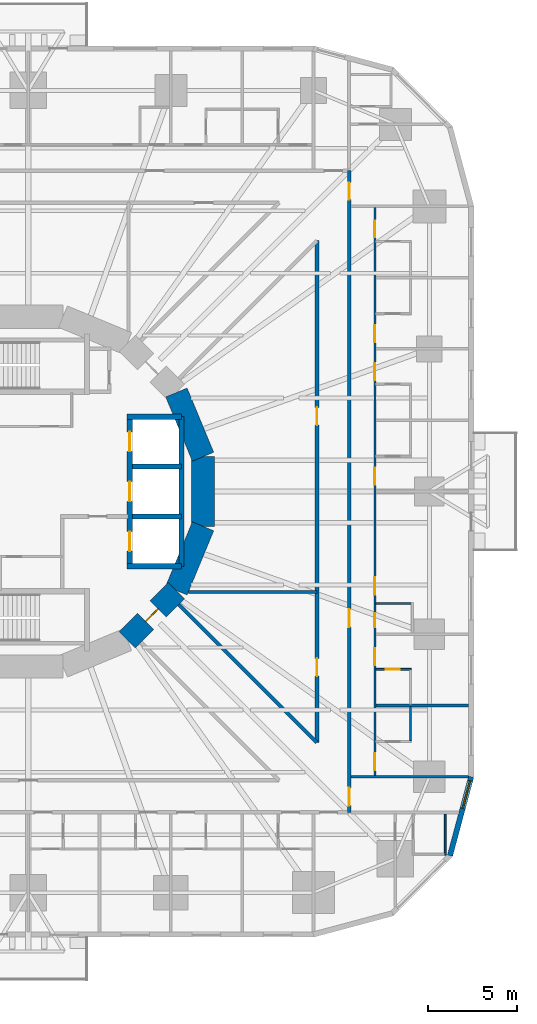
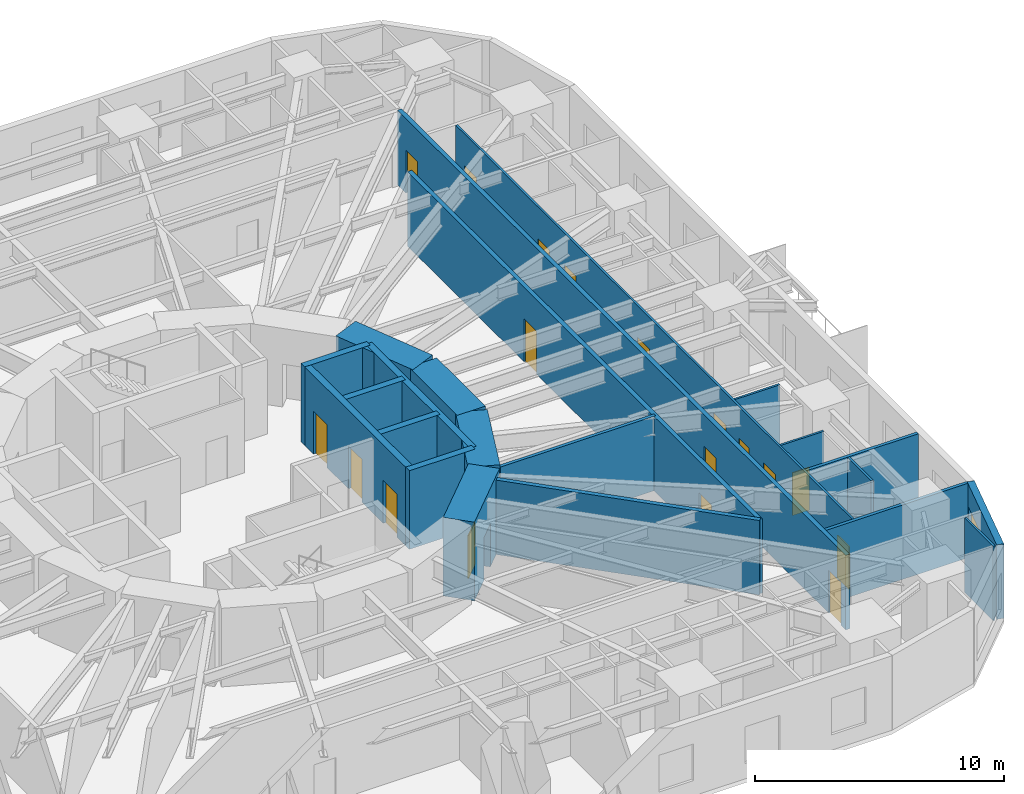
# One storey, part 8 of 14: 22 walls, 18 doors, 1 window, 19 openings.
"""IFC4 building model written with IfcOpenShell, lengths in metres."""

import ifcopenshell
import ifcopenshell.guid

model = None  # the IFC model being written
_history = None  # IfcOwnerHistory: only IFC2X3 demands one
_inside = {}  # id of a spatial element -> (the spatial element, [elements in it])
_under = {}  # id of a project, library or spatial element -> (it, [spatial elements below it])
_declared = {}  # id of a project -> (the project, [libraries it declares])
_typed = {}  # id of a type object -> (the type object, [elements of that type])
_made_of = {}  # id of a material, layer set ... -> (it, [elements and type objects made of it])


def new_model(schema):
    """Start an empty IFC model of exactly this schema.

    Asked for "IFC4X3", IfcOpenShell would pick the latest addendum, in which some entities
    have other attributes; the version numbers below select the first issue.
    IFC2X3 requires an IfcOwnerHistory on every rooted entity: one is made here for all.
    """
    global model, _history
    if schema == "IFC4X3":
        model = ifcopenshell.file(schema_version=(4, 3, 0, 0))
    else:
        model = ifcopenshell.file(schema=schema)
    _inside.clear()
    _under.clear()
    _declared.clear()
    _typed.clear()
    _made_of.clear()
    _history = None
    if model.schema == "IFC2X3":
        org = make("IfcOrganization", Name="unknown")
        user = make(
            "IfcPersonAndOrganization",
            ThePerson=make("IfcPerson", FamilyName="unknown"),
            TheOrganization=org,
        )
        app = make(
            "IfcApplication",
            ApplicationDeveloper=org,
            Version="unknown",
            ApplicationFullName="unknown",
            ApplicationIdentifier="unknown",
        )
        _history = make(
            "IfcOwnerHistory",
            OwningUser=user,
            OwningApplication=app,
            ChangeAction="ADDED",
            CreationDate=0,
        )
    return model


def make(cls, **values):
    """One entity of the class cls with the attributes given. An attribute that is None is left unset."""
    return model.create_entity(
        cls, **{name: value for name, value in values.items() if value is not None}
    )


def rooted(cls, **values):
    """An entity with a GlobalId (a new one), such as an element, a storey or a relation."""
    return make(cls, GlobalId=ifcopenshell.guid.new(), OwnerHistory=_history, **values)


def si_unit(unit_type, name, prefix=None):
    """IfcSIUnit, for example si_unit("LENGTHUNIT", "METRE", prefix="MILLI")."""
    return make("IfcSIUnit", UnitType=unit_type, Prefix=prefix, Name=name)


def assignment(units):
    """IfcUnitAssignment: the units of a project."""
    return None if units is None else make("IfcUnitAssignment", Units=units)


def point(xyz):
    """IfcCartesianPoint."""
    return None if xyz is None else make("IfcCartesianPoint", Coordinates=xyz)


def direction(xyz):
    """IfcDirection."""
    return None if xyz is None else make("IfcDirection", DirectionRatios=xyz)


def frame(location, z_axis=None, x_axis=None):
    """IfcAxis2Placement3D, a coordinate frame: its origin and axes. An axis left out is left unset."""
    return make(
        "IfcAxis2Placement3D",
        Location=point(location),
        Axis=direction(z_axis),
        RefDirection=direction(x_axis),
    )


def frame_2d(location, x_axis=None):
    """IfcAxis2Placement2D, a coordinate frame in the plane: its origin and x axis."""
    return make(
        "IfcAxis2Placement2D", Location=point(location), RefDirection=direction(x_axis)
    )


def origin():
    """The frame at (0, 0, 0) with its axes left unset."""
    return frame((0.0, 0.0, 0.0))


def place(relative_to, where):
    """IfcLocalPlacement: puts the frame where relative to a parent placement (None: the world)."""
    return make(
        "IfcLocalPlacement", PlacementRelTo=relative_to, RelativePlacement=where
    )


def context(
    kind, dimensions, precision=None, world=None, true_north=None, identifier=None
):
    """IfcGeometricRepresentationContext, for example the 3D "Model" context."""
    return make(
        "IfcGeometricRepresentationContext",
        ContextIdentifier=identifier,
        ContextType=kind,
        CoordinateSpaceDimension=dimensions,
        Precision=precision,
        WorldCoordinateSystem=world,
        TrueNorth=true_north,
    )


def subcontext(parent, identifier, kind, view, scale=None):
    """IfcGeometricRepresentationSubContext, for example "Body" below "Model"."""
    return make(
        "IfcGeometricRepresentationSubContext",
        ContextIdentifier=identifier,
        ContextType=kind,
        ParentContext=parent,
        TargetScale=scale,
        TargetView=view,
    )


def project(units=None, contexts=None):
    """IfcProject with its units and contexts."""
    return rooted(
        "IfcProject",
        Name="project",
        RepresentationContexts=contexts,
        UnitsInContext=assignment(units),
    )


def spatial(cls, under=None, at=None, **own):
    """A site, building, storey or space (cls), placed at a placement, below another one or the project."""
    s = rooted(cls, ObjectPlacement=at, **own)
    if under is not None:
        _under.setdefault(under.id(), (under, []))[1].append(s)
    return s


def profile(cls, at=None, kind="AREA", **sizes):
    """A parametric profile (cls). Its sizes go by their IFC names, for example OverallWidth=200.0."""
    return make(cls, ProfileType=kind, Position=at, **sizes)


def rectangle(**sizes):
    """IfcRectangleProfileDef."""
    return profile("IfcRectangleProfileDef", **sizes)


def extrude(swept, where, along, depth):
    """IfcExtrudedAreaSolid: the profile swept, set in the frame where, extruded along a direction by depth."""
    return make(
        "IfcExtrudedAreaSolid",
        SweptArea=swept,
        Position=where,
        ExtrudedDirection=direction(along),
        Depth=depth,
    )


def shape(context_of_items, identifier, shape_type, items):
    """IfcShapeRepresentation: the items that make up one representation, for example the "Body"."""
    return make(
        "IfcShapeRepresentation",
        ContextOfItems=context_of_items,
        RepresentationIdentifier=identifier,
        RepresentationType=shape_type,
        Items=items,
    )


def material(Name=None, Category=None):
    """IfcMaterial."""
    return make("IfcMaterial", Name=Name, Category=Category)


def layer(
    of_material, thickness, ventilated=None, Name=None, Category=None, Priority=None
):
    """IfcMaterialLayer: one layer of a wall or slab, of a material (None: an air gap)."""
    return make(
        "IfcMaterialLayer",
        Material=of_material,
        LayerThickness=thickness,
        IsVentilated=ventilated,
        Name=Name,
        Category=Category,
        Priority=Priority,
    )


def layer_set(layers, Name=None):
    """IfcMaterialLayerSet."""
    return make("IfcMaterialLayerSet", MaterialLayers=layers, LayerSetName=Name)


def made_of(thing, what):
    """Note that an element or type object is made of a material, layer set ...; save() writes the relation."""
    if what is not None:
        _made_of.setdefault(what.id(), (what, []))[1].append(thing)
    return thing


def type_object(cls, material=None, **own):
    """A type object (cls), such as IfcWallType, which elements share."""
    return made_of(rooted(cls, **own), material)


def element(
    cls,
    number,
    at=None,
    inside=None,
    cuts=None,
    type_object=None,
    material=None,
    context=None,
    identifier="Body",
    shape_type=None,
    held_by="IfcProductDefinitionShape",
    body=None,
    shapes=None,
    **own,
):
    """One element of the class cls, such as IfcWall. Its Tag is "e" and its number.

    at: its placement. inside: the storey or other place that contains it. cuts: it is an
    opening in that element (IfcRelVoidsElement). A single representation is given by context,
    identifier, shape_type and body (its items); several are given by shapes. held_by: the class
    of the entity that holds the representations. save() writes the other relations.
    """
    e = rooted(cls, Tag="e%d" % number, ObjectPlacement=at, **own)
    if body is not None:
        shapes = [shape(context, identifier, shape_type, body)]
    if shapes is not None:
        e.Representation = make(held_by, Representations=shapes)
    if inside is not None:
        _inside.setdefault(inside.id(), (inside, []))[1].append(e)
    if cuts is not None:
        rooted(
            "IfcRelVoidsElement", RelatingBuildingElement=cuts, RelatedOpeningElement=e
        )
    if type_object is not None:
        _typed.setdefault(type_object.id(), (type_object, []))[1].append(e)
    return made_of(e, material)


def fill(opening, filler):
    """IfcRelFillsElement: the door or window that sits in an opening."""
    return rooted(
        "IfcRelFillsElement",
        RelatingOpeningElement=opening,
        RelatedBuildingElement=filler,
    )


def aggregate(whole, parts):
    """IfcRelAggregates: a whole, such as a stair, and the parts it consists of."""
    return rooted("IfcRelAggregates", RelatingObject=whole, RelatedObjects=parts)


def save(model, path):
    """Write the relations noted so far, then the file.

    IfcRelAggregates (storeys below a building ...), IfcRelContainedInSpatialStructure (elements
    in a storey), IfcRelDefinesByType, IfcRelAssociatesMaterial and IfcRelDeclares: one each for
    every whole, place, type object, material and project.
    """
    for whole, parts in _under.values():
        aggregate(whole, parts)
    for where, things in _inside.values():
        rooted(
            "IfcRelContainedInSpatialStructure",
            RelatedElements=things,
            RelatingStructure=where,
        )
    for kind, things in _typed.values():
        rooted("IfcRelDefinesByType", RelatedObjects=things, RelatingType=kind)
    for what, things in _made_of.values():
        rooted("IfcRelAssociatesMaterial", RelatedObjects=things, RelatingMaterial=what)
    for by, libraries in _declared.values():
        rooted("IfcRelDeclares", RelatingContext=by, RelatedDefinitions=libraries)
    model.write(path)


model = new_model("IFC4")

# Units and contexts
model_context = context("Model", 3, precision=1e-05, world=origin(), true_north=direction((0.0, 1.0)))
body_context = subcontext(model_context, "Body", "Model", "MODEL_VIEW")
ifc_project = project(units=[si_unit("LENGTHUNIT", "METRE"), si_unit("AREAUNIT", "SQUARE_METRE"), si_unit("VOLUMEUNIT", "CUBIC_METRE"), si_unit("PLANEANGLEUNIT", "RADIAN"), si_unit("MASSUNIT", "GRAM", prefix="KILO")], contexts=[model_context])

# Site, building, storey
site_placement = place(None, origin())
site = spatial("IfcSite", under=ifc_project, at=site_placement, CompositionType="ELEMENT")
building_placement = place(site_placement, origin())
building = spatial("IfcBuilding", under=site, at=building_placement, Name="Nakasero Lantern House", CompositionType="ELEMENT")
storey_placement = place(building_placement, frame((0.0, 0.0, 31.39990234375)))
storey = spatial("IfcBuildingStorey", under=building, at=storey_placement, Name="L07", CompositionType="ELEMENT", Elevation=31.39990234375)

# Wall, openings, doors
ifc_material_1 = material(Name="Blockwork", Category="masonry")
ifc_layer_1 = layer(ifc_material_1, 0.10009765625)
ifc_layer_set_1 = layer_set([ifc_layer_1], Name="Cluster hall wall 100")
wall_type_1 = type_object("IfcWallType", Name="Cluster hall wall 100", PredefinedType="PARTITIONING", material=ifc_layer_set_1)
wall_1_placement = place(storey_placement, frame((19.449951171875, -15.925048828125, 0.0), z_axis=(0.0, 0.0, 1.0), x_axis=(0.0, 1.0, 0.0)))
wall_1 = element("IfcWall", 1, at=wall_1_placement, inside=storey, type_object=wall_type_1, Name="Cluster hall wall L07 HW0-0", PredefinedType="PARTITIONING", context=body_context, shape_type="SweptSolid", body=[
    extrude(rectangle(XDim=31.85009765625, YDim=0.10009765625, at=frame_2d((15.925048828125, 0.0))), origin(), (0.0, 0.0, 1.0), 3.650146484375),
])
opening_1_placement = place(wall_1_placement, frame((10.125, 0.0, 0.0)))
opening_1 = element("IfcOpeningElement", 2, at=opening_1_placement, cuts=wall_1, Name="Opening D03", PredefinedType="OPENING", context=body_context, shape_type="SweptSolid", body=[
    extrude(rectangle(XDim=1.0, YDim=2.10009765625, at=frame_2d((0.5, 1.050048828125))), frame((0.0, 0.070068359375, 0.0), z_axis=(0.0, -1.0, 0.0), x_axis=(1.0, 0.0, 0.0)), (0.0, 0.0, 1.0), 0.14013671875),
])
opening_2_placement = place(wall_1_placement, frame((8.300048828125, 0.0, 0.0)))
opening_2 = element("IfcOpeningElement", 3, at=opening_2_placement, cuts=wall_1, Name="Opening D02", PredefinedType="OPENING", context=body_context, shape_type="SweptSolid", body=[
    extrude(rectangle(XDim=0.800048828125, YDim=2.10009765625, at=frame_2d((0.39990234375, 1.050048828125))), frame((0.0, 0.070068359375, 0.0), z_axis=(0.0, -1.0, 0.0), x_axis=(1.0, 0.0, 0.0)), (0.0, 0.0, 1.0), 0.14013671875),
])
opening_3_placement = place(wall_1_placement, frame((0.300048828125, 0.0, 0.0)))
opening_3 = element("IfcOpeningElement", 4, at=opening_3_placement, cuts=wall_1, Name="Opening D01", PredefinedType="OPENING", context=body_context, shape_type="SweptSolid", body=[
    extrude(rectangle(XDim=0.949951171875, YDim=2.10009765625, at=frame_2d((0.47509765625, 1.050048828125))), frame((0.0, 0.070068359375, 0.0), z_axis=(0.0, -1.0, 0.0), x_axis=(1.0, 0.0, 0.0)), (0.0, 0.0, 1.0), 0.14013671875),
])
opening_4_placement = place(wall_1_placement, frame((6.175048828125, 0.0, 0.0)))
opening_4 = element("IfcOpeningElement", 5, at=opening_4_placement, cuts=wall_1, Name="Opening D01", PredefinedType="OPENING", context=body_context, shape_type="SweptSolid", body=[
    extrude(rectangle(XDim=0.949951171875, YDim=2.10009765625, at=frame_2d((0.47509765625, 1.050048828125))), frame((0.0, 0.070068359375, 0.0), z_axis=(0.0, -1.0, 0.0), x_axis=(1.0, 0.0, 0.0)), (0.0, 0.0, 1.0), 0.14013671875),
])
opening_5_placement = place(wall_1_placement, frame((16.300048828125, 0.0, 0.0)))
opening_5 = element("IfcOpeningElement", 6, at=opening_5_placement, cuts=wall_1, Name="Opening D01", PredefinedType="OPENING", context=body_context, shape_type="SweptSolid", body=[
    extrude(rectangle(XDim=0.949951171875, YDim=2.10009765625, at=frame_2d((0.47509765625, 1.050048828125))), frame((0.0, 0.070068359375, 0.0), z_axis=(0.0, -1.0, 0.0), x_axis=(1.0, 0.0, 0.0)), (0.0, 0.0, 1.0), 0.14013671875),
])
opening_6_placement = place(wall_1_placement, frame((22.175048828125, 0.0, 0.0)))
opening_6 = element("IfcOpeningElement", 7, at=opening_6_placement, cuts=wall_1, Name="Opening D01", PredefinedType="OPENING", context=body_context, shape_type="SweptSolid", body=[
    extrude(rectangle(XDim=0.949951171875, YDim=2.10009765625, at=frame_2d((0.47509765625, 1.050048828125))), frame((0.0, 0.070068359375, 0.0), z_axis=(0.0, -1.0, 0.0), x_axis=(1.0, 0.0, 0.0)), (0.0, 0.0, 1.0), 0.14013671875),
])
opening_7_placement = place(wall_1_placement, frame((24.300048828125, 0.0, 0.0)))
opening_7 = element("IfcOpeningElement", 8, at=opening_7_placement, cuts=wall_1, Name="Opening D01", PredefinedType="OPENING", context=body_context, shape_type="SweptSolid", body=[
    extrude(rectangle(XDim=0.949951171875, YDim=2.10009765625, at=frame_2d((0.47509765625, 1.050048828125))), frame((0.0, 0.070068359375, 0.0), z_axis=(0.0, -1.0, 0.0), x_axis=(1.0, 0.0, 0.0)), (0.0, 0.0, 1.0), 0.14013671875),
])
opening_8_placement = place(wall_1_placement, frame((30.175048828125, 0.0, 0.0)))
opening_8 = element("IfcOpeningElement", 9, at=opening_8_placement, cuts=wall_1, Name="Opening D01", PredefinedType="OPENING", context=body_context, shape_type="SweptSolid", body=[
    extrude(rectangle(XDim=0.949951171875, YDim=2.10009765625, at=frame_2d((0.47509765625, 1.050048828125))), frame((0.0, 0.070068359375, 0.0), z_axis=(0.0, -1.0, 0.0), x_axis=(1.0, 0.0, 0.0)), (0.0, 0.0, 1.0), 0.14013671875),
])
ifc_material_2 = material(Name="Timber C24", Category="wood")
door_type_1 = type_object("IfcDoorType", Name="Bedroom door FD30S 950", OperationType="SINGLE_SWING_LEFT", PredefinedType="DOOR", material=ifc_material_2)
door_1_placement = place(opening_3_placement, origin())
door_1 = element("IfcDoor", 10, at=door_1_placement, inside=storey, type_object=door_type_1, Name="Door L07 D0-01", OperationType="SINGLE_SWING_LEFT", OverallHeight=2.10009765625, OverallWidth=0.949951171875, PredefinedType="DOOR", context=body_context, shape_type="SweptSolid", body=[
    extrude(rectangle(XDim=0.949951171875, YDim=2.10009765625, at=frame_2d((0.47509765625, 1.050048828125))), frame((0.0, 0.02490234375, 0.0), z_axis=(0.0, -1.0, 0.0), x_axis=(1.0, 0.0, 0.0)), (0.0, 0.0, 1.0), 0.050048828125),
])
fill(opening_3, door_1)
door_2_placement = place(opening_4_placement, origin())
door_2 = element("IfcDoor", 11, at=door_2_placement, inside=storey, type_object=door_type_1, Name="Door L07 D0-02", OperationType="SINGLE_SWING_LEFT", OverallHeight=2.10009765625, OverallWidth=0.949951171875, PredefinedType="DOOR", context=body_context, shape_type="SweptSolid", body=[
    extrude(rectangle(XDim=0.949951171875, YDim=2.10009765625, at=frame_2d((0.47509765625, 1.050048828125))), frame((0.0, 0.02490234375, 0.0), z_axis=(0.0, -1.0, 0.0), x_axis=(1.0, 0.0, 0.0)), (0.0, 0.0, 1.0), 0.050048828125),
])
fill(opening_4, door_2)
door_3_placement = place(opening_5_placement, origin())
door_3 = element("IfcDoor", 12, at=door_3_placement, inside=storey, type_object=door_type_1, Name="Door L07 D0-05", OperationType="SINGLE_SWING_RIGHT", OverallHeight=2.10009765625, OverallWidth=0.949951171875, PredefinedType="DOOR", context=body_context, shape_type="SweptSolid", body=[
    extrude(rectangle(XDim=0.949951171875, YDim=2.10009765625, at=frame_2d((0.47509765625, 1.050048828125))), frame((0.0, 0.02490234375, 0.0), z_axis=(0.0, -1.0, 0.0), x_axis=(1.0, 0.0, 0.0)), (0.0, 0.0, 1.0), 0.050048828125),
])
fill(opening_5, door_3)
door_4_placement = place(opening_6_placement, origin())
door_4 = element("IfcDoor", 13, at=door_4_placement, inside=storey, type_object=door_type_1, Name="Door L07 D0-06", OperationType="SINGLE_SWING_RIGHT", OverallHeight=2.10009765625, OverallWidth=0.949951171875, PredefinedType="DOOR", context=body_context, shape_type="SweptSolid", body=[
    extrude(rectangle(XDim=0.949951171875, YDim=2.10009765625, at=frame_2d((0.47509765625, 1.050048828125))), frame((0.0, 0.02490234375, 0.0), z_axis=(0.0, -1.0, 0.0), x_axis=(1.0, 0.0, 0.0)), (0.0, 0.0, 1.0), 0.050048828125),
])
fill(opening_6, door_4)
door_5_placement = place(opening_7_placement, origin())
door_5 = element("IfcDoor", 14, at=door_5_placement, inside=storey, type_object=door_type_1, Name="Door L07 D0-07", OperationType="SINGLE_SWING_RIGHT", OverallHeight=2.10009765625, OverallWidth=0.949951171875, PredefinedType="DOOR", context=body_context, shape_type="SweptSolid", body=[
    extrude(rectangle(XDim=0.949951171875, YDim=2.10009765625, at=frame_2d((0.47509765625, 1.050048828125))), frame((0.0, 0.02490234375, 0.0), z_axis=(0.0, -1.0, 0.0), x_axis=(1.0, 0.0, 0.0)), (0.0, 0.0, 1.0), 0.050048828125),
])
fill(opening_7, door_5)
door_6_placement = place(opening_8_placement, origin())
door_6 = element("IfcDoor", 15, at=door_6_placement, inside=storey, type_object=door_type_1, Name="Door L07 D0-08", OperationType="SINGLE_SWING_RIGHT", OverallHeight=2.10009765625, OverallWidth=0.949951171875, PredefinedType="DOOR", context=body_context, shape_type="SweptSolid", body=[
    extrude(rectangle(XDim=0.949951171875, YDim=2.10009765625, at=frame_2d((0.47509765625, 1.050048828125))), frame((0.0, 0.02490234375, 0.0), z_axis=(0.0, -1.0, 0.0), x_axis=(1.0, 0.0, 0.0)), (0.0, 0.0, 1.0), 0.050048828125),
])
fill(opening_8, door_6)
ifc_material_3 = material(Name="Timber C24", Category="wood")
door_type_2 = type_object("IfcDoorType", Name="En-suite door 800", OperationType="SINGLE_SWING_RIGHT", PredefinedType="DOOR", material=ifc_material_3)
door_7_placement = place(opening_2_placement, origin())
door_7 = element("IfcDoor", 16, at=door_7_placement, inside=storey, type_object=door_type_2, Name="Door L07 DSH0-0", OperationType="SINGLE_SWING_LEFT", OverallHeight=2.10009765625, OverallWidth=0.800048828125, PredefinedType="DOOR", context=body_context, shape_type="SweptSolid", body=[
    extrude(rectangle(XDim=0.800048828125, YDim=2.10009765625, at=frame_2d((0.39990234375, 1.050048828125))), frame((0.0, 0.02490234375, 0.0), z_axis=(0.0, -1.0, 0.0), x_axis=(1.0, 0.0, 0.0)), (0.0, 0.0, 1.0), 0.050048828125),
])
fill(opening_2, door_7)
ifc_material_4 = material(Name="Timber C24", Category="wood")
door_type_3 = type_object("IfcDoorType", Name="Lounge door FD30S 1000", OperationType="SINGLE_SWING_LEFT", PredefinedType="DOOR", material=ifc_material_4)
door_8_placement = place(opening_1_placement, origin())
door_8 = element("IfcDoor", 17, at=door_8_placement, inside=storey, type_object=door_type_3, Name="Door L07 DH0-0", OperationType="SINGLE_SWING_LEFT", OverallHeight=2.10009765625, OverallWidth=1.0, PredefinedType="DOOR", context=body_context, shape_type="SweptSolid", body=[
    extrude(rectangle(XDim=1.0, YDim=2.10009765625, at=frame_2d((0.5, 1.050048828125))), frame((0.0, 0.02490234375, 0.0), z_axis=(0.0, -1.0, 0.0), x_axis=(1.0, 0.0, 0.0)), (0.0, 0.0, 1.0), 0.050048828125),
])
fill(opening_1, door_8)

ifc_material_5 = material(Name="Concrete C50/60", Category="concrete")
ifc_layer_2 = layer(ifc_material_5, 0.300048828125)
ifc_layer_set_2 = layer_set([ifc_layer_2], Name="Core inner wall 300")
wall_type_2 = type_object("IfcWallType", Name="Core inner wall 300", PredefinedType="SHEAR", material=ifc_layer_set_2)
wall_2_placement = place(storey_placement, frame((5.699951171875, -4.199951171875, 0.0), z_axis=(0.0, 0.0, 1.0), x_axis=(0.0, 1.0, 0.0)))
wall_2 = element("IfcWall", 18, at=wall_2_placement, inside=storey, type_object=wall_type_2, Name="Core inner wall L07 LE", PredefinedType="SHEAR", context=body_context, shape_type="SweptSolid", body=[
    extrude(rectangle(XDim=8.39990234375, YDim=0.300048828125, at=frame_2d((4.199951171875, 0.0))), origin(), (0.0, 0.0, 1.0), 3.85009765625),
])
opening_9_placement = place(wall_2_placement, frame((0.85009765625, 0.0, 0.0)))
opening_9 = element("IfcOpeningElement", 19, at=opening_9_placement, cuts=wall_2, Name="Opening LD", PredefinedType="OPENING", context=body_context, shape_type="SweptSolid", body=[
    extrude(rectangle(XDim=1.10009765625, YDim=2.10009765625, at=frame_2d((0.550048828125, 1.050048828125))), frame((0.0, 0.169921875, 0.0), z_axis=(0.0, -1.0, 0.0), x_axis=(1.0, 0.0, 0.0)), (0.0, 0.0, 1.0), 0.340087890625),
])
opening_10_placement = place(wall_2_placement, frame((3.64990234375, 0.0, 0.0)))
opening_10 = element("IfcOpeningElement", 20, at=opening_10_placement, cuts=wall_2, Name="Opening LD", PredefinedType="OPENING", context=body_context, shape_type="SweptSolid", body=[
    extrude(rectangle(XDim=1.10009765625, YDim=2.10009765625, at=frame_2d((0.550048828125, 1.050048828125))), frame((0.0, 0.169921875, 0.0), z_axis=(0.0, -1.0, 0.0), x_axis=(1.0, 0.0, 0.0)), (0.0, 0.0, 1.0), 0.340087890625),
])
opening_11_placement = place(wall_2_placement, frame((6.449951171875, 0.0, 0.0)))
opening_11 = element("IfcOpeningElement", 21, at=opening_11_placement, cuts=wall_2, Name="Opening LD", PredefinedType="OPENING", context=body_context, shape_type="SweptSolid", body=[
    extrude(rectangle(XDim=1.10009765625, YDim=2.10009765625, at=frame_2d((0.550048828125, 1.050048828125))), frame((0.0, 0.169921875, 0.0), z_axis=(0.0, -1.0, 0.0), x_axis=(1.0, 0.0, 0.0)), (0.0, 0.0, 1.0), 0.340087890625),
])
ifc_material_6 = material(Name="Steel S355", Category="steel")
door_type_4 = type_object("IfcDoorType", Name="Lift landing door E120 1100", OperationType="SLIDING_TO_LEFT", PredefinedType="DOOR", material=ifc_material_6)
door_9_placement = place(opening_9_placement, origin())
door_9 = element("IfcDoor", 22, at=door_9_placement, inside=storey, type_object=door_type_4, Name="Lift landing door LE1", OperationType="SLIDING_TO_LEFT", OverallHeight=2.10009765625, OverallWidth=1.10009765625, PredefinedType="DOOR", context=body_context, shape_type="SweptSolid", body=[
    extrude(rectangle(XDim=1.10009765625, YDim=2.10009765625, at=frame_2d((0.550048828125, 1.050048828125))), frame((0.0, 0.02490234375, 0.0), z_axis=(0.0, -1.0, 0.0), x_axis=(1.0, 0.0, 0.0)), (0.0, 0.0, 1.0), 0.050048828125),
])
fill(opening_9, door_9)
door_10_placement = place(opening_10_placement, origin())
door_10 = element("IfcDoor", 23, at=door_10_placement, inside=storey, type_object=door_type_4, Name="Lift landing door LE2", OperationType="SLIDING_TO_LEFT", OverallHeight=2.10009765625, OverallWidth=1.10009765625, PredefinedType="DOOR", context=body_context, shape_type="SweptSolid", body=[
    extrude(rectangle(XDim=1.10009765625, YDim=2.10009765625, at=frame_2d((0.550048828125, 1.050048828125))), frame((0.0, 0.02490234375, 0.0), z_axis=(0.0, -1.0, 0.0), x_axis=(1.0, 0.0, 0.0)), (0.0, 0.0, 1.0), 0.050048828125),
])
fill(opening_10, door_10)
door_11_placement = place(opening_11_placement, origin())
door_11 = element("IfcDoor", 24, at=door_11_placement, inside=storey, type_object=door_type_4, Name="Lift landing door LE3", OperationType="SLIDING_TO_LEFT", OverallHeight=2.10009765625, OverallWidth=1.10009765625, PredefinedType="DOOR", context=body_context, shape_type="SweptSolid", body=[
    extrude(rectangle(XDim=1.10009765625, YDim=2.10009765625, at=frame_2d((0.550048828125, 1.050048828125))), frame((0.0, 0.02490234375, 0.0), z_axis=(0.0, -1.0, 0.0), x_axis=(1.0, 0.0, 0.0)), (0.0, 0.0, 1.0), 0.050048828125),
])
fill(opening_11, door_11)

# Walls
for number, where, z_axis, x_axis, name in (
    (25, (5.550048828125, 4.199951171875, 0.0), (0.0, 0.0, 1.0), (1.0, 0.0, 0.0), "Core inner wall L07 LEN"),
    (26, (5.550048828125, -4.199951171875, 0.0), (0.0, 0.0, 1.0), (1.0, 0.0, 0.0), "Core inner wall L07 LES"),
):
    element("IfcWall", number, at=place(storey_placement, frame(where, z_axis=z_axis, x_axis=x_axis)), inside=storey, type_object=wall_type_2, Name=name, PredefinedType="SHEAR", context=body_context, shape_type="SweptSolid", body=[
        extrude(rectangle(XDim=3.050048828125, YDim=0.300048828125, at=frame_2d((1.52490234375, 0.0))), origin(), (0.0, 0.0, 1.0), 3.85009765625),
    ])
wall_3_placement = place(storey_placement, frame((8.60009765625, -4.199951171875, 0.0), z_axis=(0.0, 0.0, 1.0), x_axis=(0.0, 1.0, 0.0)))
element("IfcWall", 27, at=wall_3_placement, inside=storey, type_object=wall_type_2, Name="Core inner wall L07 LEB", PredefinedType="SHEAR", context=body_context, shape_type="SweptSolid", body=[
    extrude(rectangle(XDim=8.39990234375, YDim=0.300048828125, at=frame_2d((4.199951171875, 0.0))), origin(), (0.0, 0.0, 1.0), 3.85009765625),
])
for number, where, z_axis, x_axis, name in (
    (28, (5.85009765625, -1.39990234375, 0.0), (0.0, 0.0, 1.0), (1.0, 0.0, 0.0), "Core inner wall L07 LE1"),
    (29, (5.85009765625, 1.39990234375, 0.0), (0.0, 0.0, 1.0), (1.0, 0.0, 0.0), "Core inner wall L07 LE2"),
):
    element("IfcWall", number, at=place(storey_placement, frame(where, z_axis=z_axis, x_axis=x_axis)), inside=storey, type_object=wall_type_2, Name=name, PredefinedType="SHEAR", context=body_context, shape_type="SweptSolid", body=[
        extrude(rectangle(XDim=2.75, YDim=0.300048828125, at=frame_2d((1.375, 0.0))), origin(), (0.0, 0.0, 1.0), 3.85009765625),
    ])
ifc_material_7 = material(Name="Concrete C50/60", Category="concrete")
ifc_layer_3 = layer(ifc_material_7, 1.300048828125)
ifc_layer_set_3 = layer_set([ifc_layer_3], Name="Core wall 1300")
wall_type_3 = type_object("IfcWallType", Name="Core wall 1300", PredefinedType="SHEAR", material=ifc_layer_set_3)
wall_4_placement = place(storey_placement, frame((9.807861328125, 1.950927734375, 0.0), z_axis=(0.0, 0.0, 1.0), x_axis=(-0.382690736062, 0.923876507187, 0.0)))
element("IfcWall", 30, at=wall_4_placement, inside=storey, type_object=wall_type_3, Name="Core wall L07 facet 1", PredefinedType="SHEAR", context=body_context, shape_type="SweptSolid", body=[
    extrude(rectangle(XDim=3.90185546875, YDim=1.300048828125, at=frame_2d((1.950927734375, 0.0))), origin(), (0.0, 0.0, 1.0), 3.85009765625),
])

# Wall, opening, door
wall_5_placement = place(storey_placement, frame((5.5556640625, -8.314697265625, 0.0), z_axis=(0.0, 0.0, 1.0), x_axis=(0.707106781187, 0.707106781187, 0.0)))
wall_5 = element("IfcWall", 31, at=wall_5_placement, inside=storey, type_object=wall_type_3, Name="Core wall L07 facet 14", PredefinedType="SHEAR", context=body_context, shape_type="SweptSolid", body=[
    extrude(rectangle(XDim=3.90185546875, YDim=1.300048828125, at=frame_2d((1.950927734375, 0.0))), origin(), (0.0, 0.0, 1.0), 3.85009765625),
])
opening_12_placement = place(wall_5_placement, frame((1.450927734375, 0.0, 0.0)))
opening_12 = element("IfcOpeningElement", 32, at=opening_12_placement, cuts=wall_5, Name="Opening D05", PredefinedType="OPENING", context=body_context, shape_type="SweptSolid", body=[
    extrude(rectangle(XDim=1.0, YDim=2.10009765625, at=frame_2d((0.5, 1.050048828125))), frame((0.0, 0.669921875, 0.0), z_axis=(0.0, -1.0, 0.0), x_axis=(1.0, 0.0, 0.0)), (0.0, 0.0, 1.0), 1.340087890625),
])
ifc_material_8 = material(Name="Timber C24", Category="wood")
door_type_5 = type_object("IfcDoorType", Name="Core door FD60S 1000", OperationType="SINGLE_SWING_LEFT", PredefinedType="DOOR", material=ifc_material_8)
door_12_placement = place(opening_12_placement, origin())
door_12 = element("IfcDoor", 33, at=door_12_placement, inside=storey, type_object=door_type_5, Name="Door L07 D-CORE14", OperationType="SINGLE_SWING_LEFT", OverallHeight=2.10009765625, OverallWidth=1.0, PredefinedType="DOOR", context=body_context, shape_type="SweptSolid", body=[
    extrude(rectangle(XDim=1.0, YDim=2.10009765625, at=frame_2d((0.5, 1.050048828125))), frame((0.0, 0.02490234375, 0.0), z_axis=(0.0, -1.0, 0.0), x_axis=(1.0, 0.0, 0.0)), (0.0, 0.0, 1.0), 0.050048828125),
])
fill(opening_12, door_12)

# Walls
for number, where, z_axis, x_axis, name in (
    (34, (8.314697265625, -5.5556640625, 0.0), (0.0, 0.0, 1.0), (0.382690736062, 0.923876507187, 0.0), "Core wall L07 facet 15"),
    (35, (9.807861328125, -1.950927734375, 0.0), (0.0, 0.0, 1.0), (0.0, 1.0, 0.0), "Core wall L07 facet 16"),
):
    element("IfcWall", number, at=place(storey_placement, frame(where, z_axis=z_axis, x_axis=x_axis)), inside=storey, type_object=wall_type_3, Name=name, PredefinedType="SHEAR", context=body_context, shape_type="SweptSolid", body=[
        extrude(rectangle(XDim=3.90185546875, YDim=1.300048828125, at=frame_2d((1.950927734375, 0.0))), origin(), (0.0, 0.0, 1.0), 3.85009765625),
    ])

# Wall, openings, doors
ifc_material_9 = material(Name="Blockwork", Category="masonry")
ifc_layer_4 = layer(ifc_material_9, 0.199951171875)
ifc_layer_set_4 = layer_set([ifc_layer_4], Name="Corridor wall 200")
wall_type_4 = type_object("IfcWallType", Name="Corridor wall 200", PredefinedType="PARTITIONING", material=ifc_layer_set_4)
wall_6_placement = place(storey_placement, frame((18.0, -18.0, 0.0), z_axis=(0.0, 0.0, 1.0), x_axis=(0.0, 1.0, 0.0)))
wall_6 = element("IfcWall", 36, at=wall_6_placement, inside=storey, type_object=wall_type_4, Name="Corridor wall L07 CW0", PredefinedType="PARTITIONING", context=body_context, shape_type="SweptSolid", body=[
    extrude(rectangle(XDim=36.0, YDim=0.199951171875, at=frame_2d((18.0, 0.0))), origin(), (0.0, 0.0, 1.0), 3.650146484375),
])
opening_13_placement = place(wall_6_placement, frame((10.39990234375, 0.0, 0.0)))
opening_13 = element("IfcOpeningElement", 37, at=opening_13_placement, cuts=wall_6, Name="Opening D14", PredefinedType="OPENING", context=body_context, shape_type="SweptSolid", body=[
    extrude(rectangle(XDim=1.0, YDim=2.10009765625, at=frame_2d((0.5, 1.050048828125))), frame((0.0, 0.119873046875, 0.0), z_axis=(0.0, -1.0, 0.0), x_axis=(1.0, 0.0, 0.0)), (0.0, 0.0, 1.0), 0.239990234375),
])
opening_14_placement = place(wall_6_placement, frame((0.375, 0.0, 0.0)))
opening_14 = element("IfcOpeningElement", 38, at=opening_14_placement, cuts=wall_6, Name="Opening D07", PredefinedType="OPENING", context=body_context, shape_type="SweptSolid", body=[
    extrude(rectangle(XDim=1.0, YDim=2.10009765625, at=frame_2d((0.5, 1.050048828125))), frame((0.0, 0.119873046875, 0.0), z_axis=(0.0, -1.0, 0.0), x_axis=(1.0, 0.0, 0.0)), (0.0, 0.0, 1.0), 0.239990234375),
])
opening_15_placement = place(wall_6_placement, frame((34.375, 0.0, 0.0)))
opening_15 = element("IfcOpeningElement", 39, at=opening_15_placement, cuts=wall_6, Name="Opening D01", PredefinedType="OPENING", context=body_context, shape_type="SweptSolid", body=[
    extrude(rectangle(XDim=0.949951171875, YDim=2.10009765625, at=frame_2d((0.47509765625, 1.050048828125))), frame((0.0, 0.119873046875, 0.0), z_axis=(0.0, -1.0, 0.0), x_axis=(1.0, 0.0, 0.0)), (0.0, 0.0, 1.0), 0.239990234375),
])
door_13_placement = place(opening_15_placement, origin())
door_13 = element("IfcDoor", 40, at=door_13_placement, inside=storey, type_object=door_type_1, Name="Door L07 D0-09", OperationType="SINGLE_SWING_RIGHT", OverallHeight=2.10009765625, OverallWidth=0.949951171875, PredefinedType="DOOR", context=body_context, shape_type="SweptSolid", body=[
    extrude(rectangle(XDim=0.949951171875, YDim=2.10009765625, at=frame_2d((0.47509765625, 1.050048828125))), frame((0.0, 0.02490234375, 0.0), z_axis=(0.0, -1.0, 0.0), x_axis=(1.0, 0.0, 0.0)), (0.0, 0.0, 1.0), 0.050048828125),
])
fill(opening_15, door_13)
ifc_material_10 = material(Name="Timber C24", Category="wood")
door_type_6 = type_object("IfcDoorType", Name="Cluster entrance door FD30S 1000", OperationType="SINGLE_SWING_LEFT", PredefinedType="DOOR", material=ifc_material_10)
door_14_placement = place(opening_13_placement, origin())
door_14 = element("IfcDoor", 41, at=door_14_placement, inside=storey, type_object=door_type_6, Name="Door L07 DF0-0", OperationType="SINGLE_SWING_LEFT", OverallHeight=2.10009765625, OverallWidth=1.0, PredefinedType="DOOR", context=body_context, shape_type="SweptSolid", body=[
    extrude(rectangle(XDim=1.0, YDim=2.10009765625, at=frame_2d((0.5, 1.050048828125))), frame((0.0, 0.02490234375, 0.0), z_axis=(0.0, -1.0, 0.0), x_axis=(1.0, 0.0, 0.0)), (0.0, 0.0, 1.0), 0.050048828125),
])
fill(opening_13, door_14)
ifc_material_11 = material(Name="Timber C24", Category="wood")
door_type_7 = type_object("IfcDoorType", Name="Room door FD30S 1000", OperationType="SINGLE_SWING_LEFT", PredefinedType="DOOR", material=ifc_material_11)
door_15_placement = place(opening_14_placement, origin())
door_15 = element("IfcDoor", 42, at=door_15_placement, inside=storey, type_object=door_type_7, Name="Door L07 D0-00", OperationType="SINGLE_SWING_LEFT", OverallHeight=2.10009765625, OverallWidth=1.0, PredefinedType="DOOR", context=body_context, shape_type="SweptSolid", body=[
    extrude(rectangle(XDim=1.0, YDim=2.10009765625, at=frame_2d((0.5, 1.050048828125))), frame((0.0, 0.02490234375, 0.0), z_axis=(0.0, -1.0, 0.0), x_axis=(1.0, 0.0, 0.0)), (0.0, 0.0, 1.0), 0.050048828125),
])
fill(opening_14, door_15)

wall_7_placement = place(storey_placement, frame((16.199951171875, -14.07861328125, 0.0), z_axis=(0.0, 0.0, 1.0), x_axis=(0.0, 1.0, 0.0)))
wall_7 = element("IfcWall", 43, at=wall_7_placement, inside=storey, type_object=wall_type_4, Name="Corridor wall L07 IW0-0", PredefinedType="PARTITIONING", context=body_context, shape_type="SweptSolid", body=[
    extrude(rectangle(XDim=28.1572265625, YDim=0.199951171875, at=frame_2d((14.07861328125, 0.0))), origin(), (0.0, 0.0, 1.0), 3.650146484375),
])
opening_16_placement = place(wall_7_placement, frame((3.7236328125, 0.0, 0.0)))
opening_16 = element("IfcOpeningElement", 44, at=opening_16_placement, cuts=wall_7, Name="Opening D07", PredefinedType="OPENING", context=body_context, shape_type="SweptSolid", body=[
    extrude(rectangle(XDim=1.0, YDim=2.10009765625, at=frame_2d((0.5, 1.050048828125))), frame((0.0, 0.119873046875, 0.0), z_axis=(0.0, -1.0, 0.0), x_axis=(1.0, 0.0, 0.0)), (0.0, 0.0, 1.0), 0.239990234375),
])
opening_17_placement = place(wall_7_placement, frame((17.80224609375, 0.0, 0.0)))
opening_17 = element("IfcOpeningElement", 45, at=opening_17_placement, cuts=wall_7, Name="Opening D07", PredefinedType="OPENING", context=body_context, shape_type="SweptSolid", body=[
    extrude(rectangle(XDim=1.0, YDim=2.10009765625, at=frame_2d((0.5, 1.050048828125))), frame((0.0, 0.119873046875, 0.0), z_axis=(0.0, -1.0, 0.0), x_axis=(1.0, 0.0, 0.0)), (0.0, 0.0, 1.0), 0.239990234375),
])
door_16_placement = place(opening_16_placement, origin())
door_16 = element("IfcDoor", 46, at=door_16_placement, inside=storey, type_object=door_type_7, Name="Door L07 DI1", OperationType="SINGLE_SWING_LEFT", OverallHeight=2.10009765625, OverallWidth=1.0, PredefinedType="DOOR", context=body_context, shape_type="SweptSolid", body=[
    extrude(rectangle(XDim=1.0, YDim=2.10009765625, at=frame_2d((0.5, 1.050048828125))), frame((0.0, 0.02490234375, 0.0), z_axis=(0.0, -1.0, 0.0), x_axis=(1.0, 0.0, 0.0)), (0.0, 0.0, 1.0), 0.050048828125),
])
fill(opening_16, door_16)
door_17_placement = place(opening_17_placement, origin())
door_17 = element("IfcDoor", 47, at=door_17_placement, inside=storey, type_object=door_type_7, Name="Door L07 DI1S", OperationType="SINGLE_SWING_RIGHT", OverallHeight=2.10009765625, OverallWidth=1.0, PredefinedType="DOOR", context=body_context, shape_type="SweptSolid", body=[
    extrude(rectangle(XDim=1.0, YDim=2.10009765625, at=frame_2d((0.5, 1.050048828125))), frame((0.0, 0.02490234375, 0.0), z_axis=(0.0, -1.0, 0.0), x_axis=(1.0, 0.0, 0.0)), (0.0, 0.0, 1.0), 0.050048828125),
])
fill(opening_17, door_17)

# Walls
wall_8_placement = place(storey_placement, frame((8.45556640625, -6.334228515625, 0.0), z_axis=(0.0, 0.0, 1.0), x_axis=(0.707106781187, -0.707106781187, 0.0)))
element("IfcWall", 48, at=wall_8_placement, inside=storey, type_object=wall_type_4, Name="Corridor wall L07 PS14a", PredefinedType="PARTITIONING", context=body_context, shape_type="SweptSolid", body=[
    extrude(rectangle(XDim=10.9521484375, YDim=0.199951171875, at=frame_2d((5.47607421875, 0.0))), origin(), (0.0, 0.0, 1.0), 3.650146484375),
])
ifc_material_12 = material(Name="Blockwork", Category="masonry")
ifc_layer_5 = layer(ifc_material_12, 0.10009765625)
ifc_layer_set_5 = layer_set([ifc_layer_5], Name="En-suite wall 100")
wall_type_5 = type_object("IfcWallType", Name="En-suite wall 100", PredefinedType="PARTITIONING", material=ifc_layer_set_5)
wall_9_placement = place(storey_placement, frame((19.5, -6.27490234375, 0.0), z_axis=(0.0, 0.0, 1.0), x_axis=(1.0, 0.0, 0.0)))
element("IfcWall", 49, at=wall_9_placement, inside=storey, type_object=wall_type_5, Name="En-suite wall L07 SS0-0", PredefinedType="PARTITIONING", context=body_context, shape_type="SweptSolid", body=[
    extrude(rectangle(XDim=2.10009765625, YDim=0.10009765625, at=frame_2d((1.050048828125, 0.0))), origin(), (0.0, 0.0, 1.0), 3.650146484375),
])
wall_10_placement = place(storey_placement, frame((21.449951171875, -13.97509765625, 0.0), z_axis=(0.0, 0.0, 1.0), x_axis=(0.0, 1.0, 0.0)))
element("IfcWall", 50, at=wall_10_placement, inside=storey, type_object=wall_type_5, Name="En-suite wall L07 EE0-01", PredefinedType="PARTITIONING", context=body_context, shape_type="SweptSolid", body=[
    extrude(rectangle(XDim=1.900146484375, YDim=0.10009765625, at=frame_2d((0.9501953125, 0.0))), origin(), (0.0, 0.0, 1.0), 3.650146484375),
])

# Wall, opening, door
wall_11_placement = place(storey_placement, frame((19.5, -9.97509765625, 0.0), z_axis=(0.0, 0.0, 1.0), x_axis=(1.0, 0.0, 0.0)))
wall_11 = element("IfcWall", 51, at=wall_11_placement, inside=storey, type_object=wall_type_5, Name="En-suite wall L07 ES0-02", PredefinedType="PARTITIONING", context=body_context, shape_type="SweptSolid", body=[
    extrude(rectangle(XDim=2.0, YDim=0.10009765625, at=frame_2d((1.0, 0.0))), origin(), (0.0, 0.0, 1.0), 3.650146484375),
])
opening_18_placement = place(wall_11_placement, frame((0.550048828125, 0.0, 0.0)))
opening_18 = element("IfcOpeningElement", 52, at=opening_18_placement, cuts=wall_11, Name="Opening D02", PredefinedType="OPENING", context=body_context, shape_type="SweptSolid", body=[
    extrude(rectangle(XDim=0.800048828125, YDim=2.10009765625, at=frame_2d((0.39990234375, 1.050048828125))), frame((0.0, 0.070068359375, 0.0), z_axis=(0.0, -1.0, 0.0), x_axis=(1.0, 0.0, 0.0)), (0.0, 0.0, 1.0), 0.14013671875),
])
door_18_placement = place(opening_18_placement, origin())
door_18 = element("IfcDoor", 53, at=door_18_placement, inside=storey, type_object=door_type_2, Name="Door L07 DE0-02", OperationType="SINGLE_SWING_LEFT", OverallHeight=2.10009765625, OverallWidth=0.800048828125, PredefinedType="DOOR", context=body_context, shape_type="SweptSolid", body=[
    extrude(rectangle(XDim=0.800048828125, YDim=2.10009765625, at=frame_2d((0.39990234375, 1.050048828125))), frame((0.0, 0.02490234375, 0.0), z_axis=(0.0, -1.0, 0.0), x_axis=(1.0, 0.0, 0.0)), (0.0, 0.0, 1.0), 0.050048828125),
])
fill(opening_18, door_18)

# Wall
wall_12_placement = place(storey_placement, frame((23.396240234375, -18.10009765625, 0.0), z_axis=(0.0, 0.0, 1.0), x_axis=(0.0, -1.0, 0.0)))
element("IfcWall", 54, at=wall_12_placement, inside=storey, type_object=wall_type_5, Name="En-suite wall L07 EV3-09", PredefinedType="PARTITIONING", context=body_context, shape_type="SweptSolid", body=[
    extrude(rectangle(XDim=2.2998046875, YDim=0.10009765625, at=frame_2d((1.14990234375, 0.0))), origin(), (0.0, 0.0, 1.0), 3.650146484375),
])

# Wall, opening, window
ifc_material_13 = material(Name="Aluminium rainscreen on blockwork", Category="masonry")
ifc_layer_6 = layer(ifc_material_13, 0.300048828125)
ifc_layer_set_6 = layer_set([ifc_layer_6], Name="Facade wall 300")
wall_type_6 = type_object("IfcWallType", Name="Facade wall 300", PredefinedType="SOLIDWALL", material=ifc_layer_set_6)
wall_13_placement = place(storey_placement, frame((23.664306640625, -20.425048828125, 0.0), z_axis=(0.0, 0.0, 1.0), x_axis=(0.258839972501, 0.965920218567, 0.0)))
wall_13 = element("IfcWall", 55, at=wall_13_placement, inside=storey, type_object=wall_type_6, Name="Facade wall L07 FW3C3", PredefinedType="SOLIDWALL", context=body_context, shape_type="SweptSolid", body=[
    extrude(rectangle(XDim=4.5810546875, YDim=0.300048828125, at=frame_2d((2.29052734375, 0.0))), origin(), (0.0, 0.0, 1.0), 3.650146484375),
])
opening_19_placement = place(wall_13_placement, frame((2.74609375, 0.0, 0.75)))
opening_19 = element("IfcOpeningElement", 56, at=opening_19_placement, cuts=wall_13, Name="Opening W01", PredefinedType="OPENING", context=body_context, shape_type="SweptSolid", body=[
    extrude(rectangle(XDim=1.60009765625, YDim=1.800048828125, at=frame_2d((0.800048828125, 0.89990234375))), frame((0.0, 0.169921875, 0.0), z_axis=(0.0, -1.0, 0.0), x_axis=(1.0, 0.0, 0.0)), (0.0, 0.0, 1.0), 0.340087890625),
])
ifc_material_14 = material(Name="Aluminium 6063-T6 and glass", Category="aluminium")
window_type = type_object("IfcWindowType", Name="Bedroom window 1600x1800", PartitioningType="SINGLE_PANEL", PredefinedType="WINDOW", material=ifc_material_14)
window_placement = place(opening_19_placement, origin())
window = element("IfcWindow", 57, at=window_placement, inside=storey, type_object=window_type, Name="Window L07 WN0-00", OverallHeight=1.800048828125, OverallWidth=1.60009765625, PartitioningType="SINGLE_PANEL", PredefinedType="WINDOW", context=body_context, shape_type="SweptSolid", body=[
    extrude(rectangle(XDim=1.60009765625, YDim=1.800048828125, at=frame_2d((0.800048828125, 0.89990234375))), frame((0.0, 0.030029296875, 0.0), z_axis=(0.0, -1.0, 0.0), x_axis=(1.0, 0.0, 0.0)), (0.0, 0.0, 1.0), 0.06005859375),
])
fill(opening_19, window)

# Walls
ifc_material_15 = material(Name="Blockwork", Category="masonry")
ifc_layer_7 = layer(ifc_material_15, 0.14990234375)
ifc_layer_set_7 = layer_set([ifc_layer_7], Name="Party wall 150")
wall_type_7 = type_object("IfcWallType", Name="Party wall 150", PredefinedType="PARTITIONING", material=ifc_layer_set_7)
wall_14_placement = place(storey_placement, frame((18.10009765625, -16.0, 0.0), z_axis=(0.0, 0.0, 1.0), x_axis=(1.0, 0.0, 0.0)))
element("IfcWall", 58, at=wall_14_placement, inside=storey, type_object=wall_type_7, Name="Party wall L07 PW0-01", PredefinedType="PARTITIONING", context=body_context, shape_type="SweptSolid", body=[
    extrude(rectangle(XDim=6.58935546875, YDim=0.14990234375, at=frame_2d((3.294677734375, 0.0))), origin(), (0.0, 0.0, 1.0), 3.650146484375),
])
wall_15_placement = place(storey_placement, frame((19.5, -12.0, 0.0), z_axis=(0.0, 0.0, 1.0), x_axis=(1.0, 0.0, 0.0)))
element("IfcWall", 59, at=wall_15_placement, inside=storey, type_object=wall_type_7, Name="Party wall L07 PW0-02", PredefinedType="PARTITIONING", context=body_context, shape_type="SweptSolid", body=[
    extrude(rectangle(XDim=5.199951171875, YDim=0.14990234375, at=frame_2d((2.60009765625, 0.0))), origin(), (0.0, 0.0, 1.0), 3.650146484375),
])
wall_16_placement = place(storey_placement, frame((8.98681640625, -5.631591796875, 0.0), z_axis=(0.0, 0.0, 1.0), x_axis=(1.0, 0.0, 0.0)))
element("IfcWall", 60, at=wall_16_placement, inside=storey, type_object=wall_type_7, Name="Party wall L07 IS1", PredefinedType="PARTITIONING", context=body_context, shape_type="SweptSolid", body=[
    extrude(rectangle(XDim=7.213134765625, YDim=0.14990234375, at=frame_2d((3.6064453125, 0.0))), origin(), (0.0, 0.0, 1.0), 3.650146484375),
])

save(model, "model.ifc")
